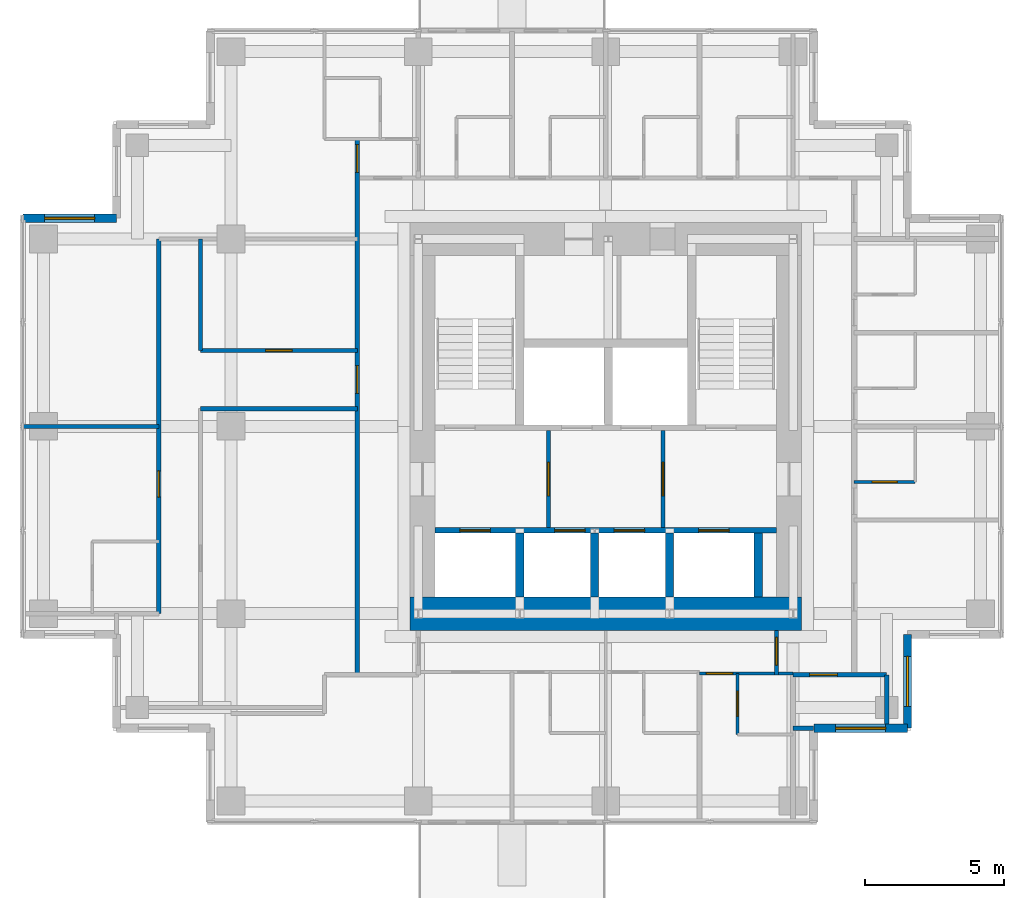
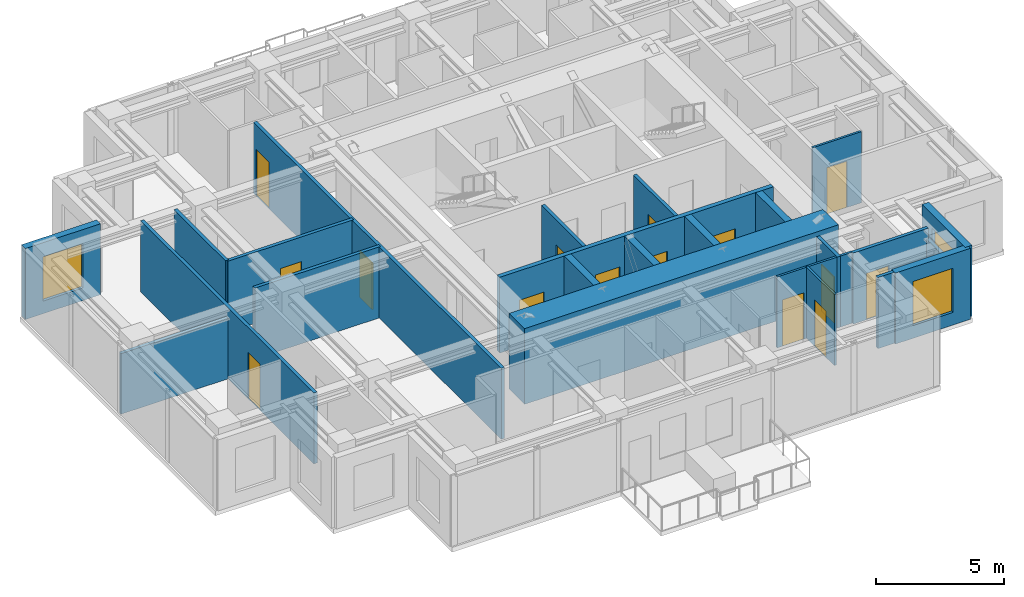
# One storey, part 4 of 8: 24 walls, 15 doors, 3 windows, 18 openings.
"""IFC4 building model written with IfcOpenShell, lengths in metres."""

import ifcopenshell
import ifcopenshell.guid

model = None  # the IFC model being written
_history = None  # IfcOwnerHistory: only IFC2X3 demands one
_inside = {}  # id of a spatial element -> (the spatial element, [elements in it])
_under = {}  # id of a project, library or spatial element -> (it, [spatial elements below it])
_declared = {}  # id of a project -> (the project, [libraries it declares])
_typed = {}  # id of a type object -> (the type object, [elements of that type])
_made_of = {}  # id of a material, layer set ... -> (it, [elements and type objects made of it])


def new_model(schema):
    """Start an empty IFC model of exactly this schema.

    Asked for "IFC4X3", IfcOpenShell would pick the latest addendum, in which some entities
    have other attributes; the version numbers below select the first issue.
    IFC2X3 requires an IfcOwnerHistory on every rooted entity: one is made here for all.
    """
    global model, _history
    if schema == "IFC4X3":
        model = ifcopenshell.file(schema_version=(4, 3, 0, 0))
    else:
        model = ifcopenshell.file(schema=schema)
    _inside.clear()
    _under.clear()
    _declared.clear()
    _typed.clear()
    _made_of.clear()
    _history = None
    if model.schema == "IFC2X3":
        org = make("IfcOrganization", Name="unknown")
        user = make(
            "IfcPersonAndOrganization",
            ThePerson=make("IfcPerson", FamilyName="unknown"),
            TheOrganization=org,
        )
        app = make(
            "IfcApplication",
            ApplicationDeveloper=org,
            Version="unknown",
            ApplicationFullName="unknown",
            ApplicationIdentifier="unknown",
        )
        _history = make(
            "IfcOwnerHistory",
            OwningUser=user,
            OwningApplication=app,
            ChangeAction="ADDED",
            CreationDate=0,
        )
    return model


def make(cls, **values):
    """One entity of the class cls with the attributes given. An attribute that is None is left unset."""
    return model.create_entity(
        cls, **{name: value for name, value in values.items() if value is not None}
    )


def rooted(cls, **values):
    """An entity with a GlobalId (a new one), such as an element, a storey or a relation."""
    return make(cls, GlobalId=ifcopenshell.guid.new(), OwnerHistory=_history, **values)


def si_unit(unit_type, name, prefix=None):
    """IfcSIUnit, for example si_unit("LENGTHUNIT", "METRE", prefix="MILLI")."""
    return make("IfcSIUnit", UnitType=unit_type, Prefix=prefix, Name=name)


def assignment(units):
    """IfcUnitAssignment: the units of a project."""
    return None if units is None else make("IfcUnitAssignment", Units=units)


def point(xyz):
    """IfcCartesianPoint."""
    return None if xyz is None else make("IfcCartesianPoint", Coordinates=xyz)


def direction(xyz):
    """IfcDirection."""
    return None if xyz is None else make("IfcDirection", DirectionRatios=xyz)


def frame(location, z_axis=None, x_axis=None):
    """IfcAxis2Placement3D, a coordinate frame: its origin and axes. An axis left out is left unset."""
    return make(
        "IfcAxis2Placement3D",
        Location=point(location),
        Axis=direction(z_axis),
        RefDirection=direction(x_axis),
    )


def frame_2d(location, x_axis=None):
    """IfcAxis2Placement2D, a coordinate frame in the plane: its origin and x axis."""
    return make(
        "IfcAxis2Placement2D", Location=point(location), RefDirection=direction(x_axis)
    )


def origin():
    """The frame at (0, 0, 0) with its axes left unset."""
    return frame((0.0, 0.0, 0.0))


def place(relative_to, where):
    """IfcLocalPlacement: puts the frame where relative to a parent placement (None: the world)."""
    return make(
        "IfcLocalPlacement", PlacementRelTo=relative_to, RelativePlacement=where
    )


def context(
    kind, dimensions, precision=None, world=None, true_north=None, identifier=None
):
    """IfcGeometricRepresentationContext, for example the 3D "Model" context."""
    return make(
        "IfcGeometricRepresentationContext",
        ContextIdentifier=identifier,
        ContextType=kind,
        CoordinateSpaceDimension=dimensions,
        Precision=precision,
        WorldCoordinateSystem=world,
        TrueNorth=true_north,
    )


def subcontext(parent, identifier, kind, view, scale=None):
    """IfcGeometricRepresentationSubContext, for example "Body" below "Model"."""
    return make(
        "IfcGeometricRepresentationSubContext",
        ContextIdentifier=identifier,
        ContextType=kind,
        ParentContext=parent,
        TargetScale=scale,
        TargetView=view,
    )


def project(units=None, contexts=None):
    """IfcProject with its units and contexts."""
    return rooted(
        "IfcProject",
        Name="project",
        RepresentationContexts=contexts,
        UnitsInContext=assignment(units),
    )


def spatial(cls, under=None, at=None, **own):
    """A site, building, storey or space (cls), placed at a placement, below another one or the project."""
    s = rooted(cls, ObjectPlacement=at, **own)
    if under is not None:
        _under.setdefault(under.id(), (under, []))[1].append(s)
    return s


def profile(cls, at=None, kind="AREA", **sizes):
    """A parametric profile (cls). Its sizes go by their IFC names, for example OverallWidth=200.0."""
    return make(cls, ProfileType=kind, Position=at, **sizes)


def rectangle(**sizes):
    """IfcRectangleProfileDef."""
    return profile("IfcRectangleProfileDef", **sizes)


def extrude(swept, where, along, depth):
    """IfcExtrudedAreaSolid: the profile swept, set in the frame where, extruded along a direction by depth."""
    return make(
        "IfcExtrudedAreaSolid",
        SweptArea=swept,
        Position=where,
        ExtrudedDirection=direction(along),
        Depth=depth,
    )


def shape(context_of_items, identifier, shape_type, items):
    """IfcShapeRepresentation: the items that make up one representation, for example the "Body"."""
    return make(
        "IfcShapeRepresentation",
        ContextOfItems=context_of_items,
        RepresentationIdentifier=identifier,
        RepresentationType=shape_type,
        Items=items,
    )


def material(Name=None, Category=None):
    """IfcMaterial."""
    return make("IfcMaterial", Name=Name, Category=Category)


def layer(
    of_material, thickness, ventilated=None, Name=None, Category=None, Priority=None
):
    """IfcMaterialLayer: one layer of a wall or slab, of a material (None: an air gap)."""
    return make(
        "IfcMaterialLayer",
        Material=of_material,
        LayerThickness=thickness,
        IsVentilated=ventilated,
        Name=Name,
        Category=Category,
        Priority=Priority,
    )


def layer_set(layers, Name=None):
    """IfcMaterialLayerSet."""
    return make("IfcMaterialLayerSet", MaterialLayers=layers, LayerSetName=Name)


def made_of(thing, what):
    """Note that an element or type object is made of a material, layer set ...; save() writes the relation."""
    if what is not None:
        _made_of.setdefault(what.id(), (what, []))[1].append(thing)
    return thing


def type_object(cls, material=None, **own):
    """A type object (cls), such as IfcWallType, which elements share."""
    return made_of(rooted(cls, **own), material)


def element(
    cls,
    number,
    at=None,
    inside=None,
    cuts=None,
    type_object=None,
    material=None,
    context=None,
    identifier="Body",
    shape_type=None,
    held_by="IfcProductDefinitionShape",
    body=None,
    shapes=None,
    **own,
):
    """One element of the class cls, such as IfcWall. Its Tag is "e" and its number.

    at: its placement. inside: the storey or other place that contains it. cuts: it is an
    opening in that element (IfcRelVoidsElement). A single representation is given by context,
    identifier, shape_type and body (its items); several are given by shapes. held_by: the class
    of the entity that holds the representations. save() writes the other relations.
    """
    e = rooted(cls, Tag="e%d" % number, ObjectPlacement=at, **own)
    if body is not None:
        shapes = [shape(context, identifier, shape_type, body)]
    if shapes is not None:
        e.Representation = make(held_by, Representations=shapes)
    if inside is not None:
        _inside.setdefault(inside.id(), (inside, []))[1].append(e)
    if cuts is not None:
        rooted(
            "IfcRelVoidsElement", RelatingBuildingElement=cuts, RelatedOpeningElement=e
        )
    if type_object is not None:
        _typed.setdefault(type_object.id(), (type_object, []))[1].append(e)
    return made_of(e, material)


def fill(opening, filler):
    """IfcRelFillsElement: the door or window that sits in an opening."""
    return rooted(
        "IfcRelFillsElement",
        RelatingOpeningElement=opening,
        RelatedBuildingElement=filler,
    )


def aggregate(whole, parts):
    """IfcRelAggregates: a whole, such as a stair, and the parts it consists of."""
    return rooted("IfcRelAggregates", RelatingObject=whole, RelatedObjects=parts)


def save(model, path):
    """Write the relations noted so far, then the file.

    IfcRelAggregates (storeys below a building ...), IfcRelContainedInSpatialStructure (elements
    in a storey), IfcRelDefinesByType, IfcRelAssociatesMaterial and IfcRelDeclares: one each for
    every whole, place, type object, material and project.
    """
    for whole, parts in _under.values():
        aggregate(whole, parts)
    for where, things in _inside.values():
        rooted(
            "IfcRelContainedInSpatialStructure",
            RelatedElements=things,
            RelatingStructure=where,
        )
    for kind, things in _typed.values():
        rooted("IfcRelDefinesByType", RelatedObjects=things, RelatingType=kind)
    for what, things in _made_of.values():
        rooted("IfcRelAssociatesMaterial", RelatedObjects=things, RelatingMaterial=what)
    for by, libraries in _declared.values():
        rooted("IfcRelDeclares", RelatingContext=by, RelatedDefinitions=libraries)
    model.write(path)


model = new_model("IFC4")

# Units and contexts
model_context = context("Model", 3, precision=1e-05, world=origin(), true_north=direction((0.0, 1.0)))
body_context = subcontext(model_context, "Body", "Model", "MODEL_VIEW")
ifc_project = project(units=[si_unit("LENGTHUNIT", "METRE"), si_unit("AREAUNIT", "SQUARE_METRE"), si_unit("VOLUMEUNIT", "CUBIC_METRE"), si_unit("PLANEANGLEUNIT", "RADIAN"), si_unit("MASSUNIT", "GRAM", prefix="KILO")], contexts=[model_context])

# Site, building, storey
site_placement = place(None, origin())
site = spatial("IfcSite", under=ifc_project, at=site_placement, CompositionType="ELEMENT")
building_placement = place(site_placement, origin())
building = spatial("IfcBuilding", under=site, at=building_placement, Name="Nyansa Garden Tower", CompositionType="ELEMENT")
storey_placement = place(building_placement, frame((0.0, 0.0, 233.10009765625)))
storey = spatial("IfcBuildingStorey", under=building, at=storey_placement, Name="L63", CompositionType="ELEMENT", Elevation=233.10009765625)

# Wall, openings, doors
ifc_material_1 = material(Name="Concrete C70/85", Category="concrete")
ifc_layer_1 = layer(ifc_material_1, 0.199951171875)
ifc_layer_set_1 = layer_set([ifc_layer_1], Name="Core inner wall CI200")
wall_type_1 = type_object("IfcWallType", Name="Core inner wall CI200", PredefinedType="SHEAR", material=ifc_layer_set_1)
wall_1_placement = place(storey_placement, frame((14.10009765625, 16.5, 0.0), z_axis=(0.0, 0.0, 1.0), x_axis=(1.0, 0.0, 0.0)))
wall_1 = element("IfcWall", 1, at=wall_1_placement, inside=storey, type_object=wall_type_1, Name="Core inner wall L63", PredefinedType="SHEAR", context=body_context, shape_type="SweptSolid", body=[
    extrude(rectangle(XDim=12.2998046875, YDim=0.199951171875, at=frame_2d((6.14990234375, 0.0))), origin(), (0.0, 0.0, 1.0), 3.599853515625),
])
opening_1_placement = place(wall_1_placement, frame((0.89990234375, 0.0, 0.0)))
opening_1 = element("IfcOpeningElement", 2, at=opening_1_placement, cuts=wall_1, Name="Opening LD-F", PredefinedType="OPENING", context=body_context, shape_type="SweptSolid", body=[
    extrude(rectangle(XDim=1.10009765625, YDim=2.199951171875, at=frame_2d((0.550048828125, 1.10009765625))), frame((0.0, 0.10986328125, 0.0), z_axis=(0.0, -1.0, 0.0), x_axis=(1.0, 0.0, 0.0)), (0.0, 0.0, 1.0), 0.219970703125),
])
opening_2_placement = place(wall_1_placement, frame((4.31005859375, 0.0, 0.0)))
opening_2 = element("IfcOpeningElement", 3, at=opening_2_placement, cuts=wall_1, Name="Opening LD-B", PredefinedType="OPENING", context=body_context, shape_type="SweptSolid", body=[
    extrude(rectangle(XDim=1.10009765625, YDim=2.199951171875, at=frame_2d((0.550048828125, 1.10009765625))), frame((0.0, 0.10986328125, 0.0), z_axis=(0.0, -1.0, 0.0), x_axis=(1.0, 0.0, 0.0)), (0.0, 0.0, 1.0), 0.219970703125),
])
opening_3_placement = place(wall_1_placement, frame((6.449951171875, 0.0, 0.0)))
opening_3 = element("IfcOpeningElement", 4, at=opening_3_placement, cuts=wall_1, Name="Opening LD-B", PredefinedType="OPENING", context=body_context, shape_type="SweptSolid", body=[
    extrude(rectangle(XDim=1.10009765625, YDim=2.199951171875, at=frame_2d((0.550048828125, 1.10009765625))), frame((0.0, 0.10986328125, 0.0), z_axis=(0.0, -1.0, 0.0), x_axis=(1.0, 0.0, 0.0)), (0.0, 0.0, 1.0), 0.219970703125),
])
opening_4_placement = place(wall_1_placement, frame((9.5, 0.0, 0.0)))
opening_4 = element("IfcOpeningElement", 5, at=opening_4_placement, cuts=wall_1, Name="Opening LD-F", PredefinedType="OPENING", context=body_context, shape_type="SweptSolid", body=[
    extrude(rectangle(XDim=1.10009765625, YDim=2.199951171875, at=frame_2d((0.550048828125, 1.10009765625))), frame((0.0, 0.10986328125, 0.0), z_axis=(0.0, -1.0, 0.0), x_axis=(1.0, 0.0, 0.0)), (0.0, 0.0, 1.0), 0.219970703125),
])
ifc_material_2 = material(Name="Stainless steel centre-opening landing door of the high-rise lift, E 120", Category="steel")
door_type_1 = type_object("IfcDoorType", Name="Lift landing door LD-B 1100x2200", OperationType="DOUBLE_DOOR_SLIDING", PredefinedType="DOOR", material=ifc_material_2)
door_1_placement = place(opening_2_placement, origin())
door_1 = element("IfcDoor", 6, at=door_1_placement, inside=storey, type_object=door_type_1, Name="Landing door B1", OperationType="DOUBLE_DOOR_SLIDING", OverallHeight=2.199951171875, OverallWidth=1.10009765625, PredefinedType="DOOR", context=body_context, shape_type="SweptSolid", body=[
    extrude(rectangle(XDim=1.10009765625, YDim=2.199951171875, at=frame_2d((0.550048828125, 1.10009765625))), frame((0.0, 0.02490234375, 0.0), z_axis=(0.0, -1.0, 0.0), x_axis=(1.0, 0.0, 0.0)), (0.0, 0.0, 1.0), 0.050048828125),
])
fill(opening_2, door_1)
door_2_placement = place(opening_3_placement, origin())
door_2 = element("IfcDoor", 7, at=door_2_placement, inside=storey, type_object=door_type_1, Name="Landing door B2", OperationType="DOUBLE_DOOR_SLIDING", OverallHeight=2.199951171875, OverallWidth=1.10009765625, PredefinedType="DOOR", context=body_context, shape_type="SweptSolid", body=[
    extrude(rectangle(XDim=1.10009765625, YDim=2.199951171875, at=frame_2d((0.550048828125, 1.10009765625))), frame((0.0, 0.02490234375, 0.0), z_axis=(0.0, -1.0, 0.0), x_axis=(1.0, 0.0, 0.0)), (0.0, 0.0, 1.0), 0.050048828125),
])
fill(opening_3, door_2)
ifc_material_3 = material(Name="Stainless steel centre-opening landing door of the firefighting lift, EN 81-72, E 120", Category="steel")
door_type_2 = type_object("IfcDoorType", Name="Lift landing door LD-F 1100x2200", OperationType="DOUBLE_DOOR_SLIDING", PredefinedType="DOOR", material=ifc_material_3)
door_3_placement = place(opening_1_placement, origin())
door_3 = element("IfcDoor", 8, at=door_3_placement, inside=storey, type_object=door_type_2, Name="Landing door FF1", OperationType="DOUBLE_DOOR_SLIDING", OverallHeight=2.199951171875, OverallWidth=1.10009765625, PredefinedType="DOOR", context=body_context, shape_type="SweptSolid", body=[
    extrude(rectangle(XDim=1.10009765625, YDim=2.199951171875, at=frame_2d((0.550048828125, 1.10009765625))), frame((0.0, 0.02490234375, 0.0), z_axis=(0.0, -1.0, 0.0), x_axis=(1.0, 0.0, 0.0)), (0.0, 0.0, 1.0), 0.050048828125),
])
fill(opening_1, door_3)
door_4_placement = place(opening_4_placement, origin())
door_4 = element("IfcDoor", 9, at=door_4_placement, inside=storey, type_object=door_type_2, Name="Landing door FF2", OperationType="DOUBLE_DOOR_SLIDING", OverallHeight=2.199951171875, OverallWidth=1.10009765625, PredefinedType="DOOR", context=body_context, shape_type="SweptSolid", body=[
    extrude(rectangle(XDim=1.10009765625, YDim=2.199951171875, at=frame_2d((0.550048828125, 1.10009765625))), frame((0.0, 0.02490234375, 0.0), z_axis=(0.0, -1.0, 0.0), x_axis=(1.0, 0.0, 0.0)), (0.0, 0.0, 1.0), 0.050048828125),
])
fill(opening_4, door_4)

# Walls
ifc_material_4 = material(Name="Concrete C70/85", Category="concrete")
ifc_layer_2 = layer(ifc_material_4, 0.300048828125)
ifc_layer_set_2 = layer_set([ifc_layer_2], Name="Core inner wall CI300")
wall_type_2 = type_object("IfcWallType", Name="Core inner wall CI300", PredefinedType="SHEAR", material=ifc_layer_set_2)
for number, where, z_axis, x_axis, name in (
    (10, (17.14990234375, 14.10009765625, 0.0), (0.0, 0.0, 1.0), (0.0, 1.0, 0.0), "Core inner wall L63"),
    (11, (19.85009765625, 14.10009765625, 0.0), (0.0, 0.0, 1.0), (0.0, 1.0, 0.0), "Core inner wall L63"),
    (12, (22.550048828125, 14.10009765625, 0.0), (0.0, 0.0, 1.0), (0.0, 1.0, 0.0), "Core inner wall L63"),
    (13, (25.75, 14.10009765625, 0.0), (0.0, 0.0, 1.0), (0.0, 1.0, 0.0), "Core inner wall L63"),
):
    element("IfcWall", number, at=place(storey_placement, frame(where, z_axis=z_axis, x_axis=x_axis)), inside=storey, type_object=wall_type_2, Name=name, PredefinedType="SHEAR", context=body_context, shape_type="SweptSolid", body=[
        extrude(rectangle(XDim=2.2998046875, YDim=0.300048828125, at=frame_2d((1.14990234375, 0.0))), origin(), (0.0, 0.0, 1.0), 3.599853515625),
    ])
ifc_material_5 = material(Name="Concrete C80/95", Category="concrete")
ifc_layer_3 = layer(ifc_material_5, 1.199951171875)
ifc_layer_set_3 = layer_set([ifc_layer_3], Name="Core wall CW1200")
wall_type_3 = type_object("IfcWallType", Name="Core wall CW1200", PredefinedType="SHEAR", material=ifc_layer_set_3)
wall_2_placement = place(storey_placement, frame((13.199951171875, 13.5, 0.0), z_axis=(0.0, 0.0, 1.0), x_axis=(1.0, 0.0, 0.0)))
element("IfcWall", 14, at=wall_2_placement, inside=storey, type_object=wall_type_3, Name="Core wall S L63", PredefinedType="SHEAR", context=body_context, shape_type="SweptSolid", body=[
    extrude(rectangle(XDim=14.10009765625, YDim=1.199951171875, at=frame_2d((7.050048828125, 0.0))), origin(), (0.0, 0.0, 1.0), 3.599853515625),
])

# Wall, opening, door
ifc_material_6 = material(Name="Blockwork, plastered both sides", Category="masonry")
ifc_layer_4 = layer(ifc_material_6, 0.14990234375)
ifc_layer_set_4 = layer_set([ifc_layer_4], Name="Partition PW150")
wall_type_4 = type_object("IfcWallType", Name="Partition PW150", PredefinedType="PARTITIONING", material=ifc_layer_set_4)
wall_3_placement = place(storey_placement, frame((18.18505859375, 16.60009765625, 0.0), z_axis=(0.0, 0.0, 1.0), x_axis=(0.0, 1.0, 0.0)))
wall_3 = element("IfcWall", 15, at=wall_3_placement, inside=storey, type_object=wall_type_4, Name="Partition", PredefinedType="PARTITIONING", context=body_context, shape_type="SweptSolid", body=[
    extrude(rectangle(XDim=3.5, YDim=0.14990234375, at=frame_2d((1.75, 0.0))), origin(), (0.0, 0.0, 1.0), 3.375),
])
opening_5_placement = place(wall_3_placement, frame((1.14990234375, 0.0, 0.0)))
opening_5 = element("IfcOpeningElement", 16, at=opening_5_placement, cuts=wall_3, Name="Opening D06", PredefinedType="OPENING", context=body_context, shape_type="SweptSolid", body=[
    extrude(rectangle(XDim=1.199951171875, YDim=2.199951171875, at=frame_2d((0.60009765625, 1.10009765625))), frame((0.0, 0.0849609375, 0.0), z_axis=(0.0, -1.0, 0.0), x_axis=(1.0, 0.0, 0.0)), (0.0, 0.0, 1.0), 0.169921875),
])
ifc_material_7 = material(Name="Steel door, 120 minute fire resisting", Category="steel")
door_type_3 = type_object("IfcDoorType", Name="Lobby door D06 1200x2200", OperationType="DOUBLE_DOOR_SINGLE_SWING", PredefinedType="DOOR", material=ifc_material_7)
door_5_placement = place(opening_5_placement, origin())
door_5 = element("IfcDoor", 17, at=door_5_placement, inside=storey, type_object=door_type_3, Name="Passenger lift lobby door", OperationType="DOUBLE_DOOR_SINGLE_SWING", OverallHeight=2.199951171875, OverallWidth=1.199951171875, PredefinedType="DOOR", context=body_context, shape_type="SweptSolid", body=[
    extrude(rectangle(XDim=1.199951171875, YDim=2.199951171875, at=frame_2d((0.60009765625, 1.10009765625))), frame((0.0, 0.02490234375, 0.0), z_axis=(0.0, -1.0, 0.0), x_axis=(1.0, 0.0, 0.0)), (0.0, 0.0, 1.0), 0.050048828125),
])
fill(opening_5, door_5)

wall_4_placement = place(storey_placement, frame((22.31494140625, 16.60009765625, 0.0), z_axis=(0.0, 0.0, 1.0), x_axis=(0.0, 1.0, 0.0)))
wall_4 = element("IfcWall", 18, at=wall_4_placement, inside=storey, type_object=wall_type_4, Name="Partition", PredefinedType="PARTITIONING", context=body_context, shape_type="SweptSolid", body=[
    extrude(rectangle(XDim=3.5, YDim=0.14990234375, at=frame_2d((1.75, 0.0))), origin(), (0.0, 0.0, 1.0), 3.375),
])
opening_6_placement = place(wall_4_placement, frame((1.14990234375, 0.0, 0.0)))
opening_6 = element("IfcOpeningElement", 19, at=opening_6_placement, cuts=wall_4, Name="Opening D06", PredefinedType="OPENING", context=body_context, shape_type="SweptSolid", body=[
    extrude(rectangle(XDim=1.199951171875, YDim=2.199951171875, at=frame_2d((0.60009765625, 1.10009765625))), frame((0.0, 0.0849609375, 0.0), z_axis=(0.0, -1.0, 0.0), x_axis=(1.0, 0.0, 0.0)), (0.0, 0.0, 1.0), 0.169921875),
])
door_6_placement = place(opening_6_placement, origin())
door_6 = element("IfcDoor", 20, at=door_6_placement, inside=storey, type_object=door_type_3, Name="Passenger lift lobby door", OperationType="DOUBLE_DOOR_SINGLE_SWING", OverallHeight=2.199951171875, OverallWidth=1.199951171875, PredefinedType="DOOR", context=body_context, shape_type="SweptSolid", body=[
    extrude(rectangle(XDim=1.199951171875, YDim=2.199951171875, at=frame_2d((0.60009765625, 1.10009765625))), frame((0.0, 0.02490234375, 0.0), z_axis=(0.0, -1.0, 0.0), x_axis=(1.0, 0.0, 0.0)), (0.0, 0.0, 1.0), 0.050048828125),
])
fill(opening_6, door_6)

# Wall
wall_5_placement = place(storey_placement, frame((-0.73388671875, 20.25, 0.0), z_axis=(0.0, 0.0, 1.0), x_axis=(1.0, 0.0, 0.0)))
element("IfcWall", 21, at=wall_5_placement, inside=storey, type_object=wall_type_4, Name="Partition", PredefinedType="PARTITIONING", context=body_context, shape_type="SweptSolid", body=[
    extrude(rectangle(XDim=4.8837890625, YDim=0.14990234375, at=frame_2d((2.44189453125, 0.0))), origin(), (0.0, 0.0, 1.0), 2.876953125),
])

# Wall, opening, door
wall_6_placement = place(storey_placement, frame((4.14990234375, 13.5, 0.0), z_axis=(0.0, 0.0, 1.0), x_axis=(0.0, 1.0, 0.0)))
wall_6 = element("IfcWall", 22, at=wall_6_placement, inside=storey, type_object=wall_type_4, Name="Partition", PredefinedType="PARTITIONING", context=body_context, shape_type="SweptSolid", body=[
    extrude(rectangle(XDim=13.5, YDim=0.14990234375, at=frame_2d((6.75, 0.0))), origin(), (0.0, 0.0, 1.0), 3.375),
])
opening_7_placement = place(wall_6_placement, frame((4.199951171875, 0.0, 0.0)))
opening_7 = element("IfcOpeningElement", 23, at=opening_7_placement, cuts=wall_6, Name="Opening D14", PredefinedType="OPENING", context=body_context, shape_type="SweptSolid", body=[
    extrude(rectangle(XDim=0.949951171875, YDim=2.199951171875, at=frame_2d((0.47509765625, 1.10009765625))), frame((0.0, 0.0849609375, 0.0), z_axis=(0.0, -1.0, 0.0), x_axis=(1.0, 0.0, 0.0)), (0.0, 0.0, 1.0), 0.169921875),
])
ifc_material_8 = material(Name="Timber flush door, 60 minute fire resisting, self-closing", Category="wood")
door_type_4 = type_object("IfcDoorType", Name="Studio entrance door D14 950x2200", OperationType="SINGLE_SWING_LEFT", PredefinedType="DOOR", material=ifc_material_8)
door_7_placement = place(opening_7_placement, origin())
door_7 = element("IfcDoor", 24, at=door_7_placement, inside=storey, type_object=door_type_4, Name="Door L63-047", OperationType="SINGLE_SWING_LEFT", OverallHeight=2.199951171875, OverallWidth=0.949951171875, PredefinedType="DOOR", context=body_context, shape_type="SweptSolid", body=[
    extrude(rectangle(XDim=0.949951171875, YDim=2.199951171875, at=frame_2d((0.47509765625, 1.10009765625))), frame((0.0, 0.02490234375, 0.0), z_axis=(0.0, -1.0, 0.0), x_axis=(1.0, 0.0, 0.0)), (0.0, 0.0, 1.0), 0.050048828125),
])
fill(opening_7, door_7)

# Walls
wall_7_placement = place(storey_placement, frame((5.64990234375, 20.886962890625, 0.0), z_axis=(0.0, 0.0, 1.0), x_axis=(1.0, 0.0, 0.0)))
element("IfcWall", 25, at=wall_7_placement, inside=storey, type_object=wall_type_4, Name="Partition", PredefinedType="PARTITIONING", context=body_context, shape_type="SweptSolid", body=[
    extrude(rectangle(XDim=5.650146484375, YDim=0.14990234375, at=frame_2d((2.8251953125, 0.0))), origin(), (0.0, 0.0, 1.0), 3.375),
])
wall_8_placement = place(storey_placement, frame((5.64990234375, 22.987548828125, 0.0), z_axis=(0.0, 0.0, 1.0), x_axis=(0.0, 1.0, 0.0)))
element("IfcWall", 26, at=wall_8_placement, inside=storey, type_object=wall_type_4, Name="Partition", PredefinedType="PARTITIONING", context=body_context, shape_type="SweptSolid", body=[
    extrude(rectangle(XDim=4.012451171875, YDim=0.14990234375, at=frame_2d((2.00634765625, 0.0))), origin(), (0.0, 0.0, 1.0), 3.375),
])

# Wall, opening, door
wall_9_placement = place(storey_placement, frame((5.64990234375, 22.988037109375, 0.0), z_axis=(0.0, 0.0, 1.0), x_axis=(1.0, 0.0, 0.0)))
wall_9 = element("IfcWall", 27, at=wall_9_placement, inside=storey, type_object=wall_type_4, Name="Partition", PredefinedType="PARTITIONING", context=body_context, shape_type="SweptSolid", body=[
    extrude(rectangle(XDim=5.650146484375, YDim=0.14990234375, at=frame_2d((2.8251953125, 0.0))), origin(), (0.0, 0.0, 1.0), 3.375),
])
opening_8_placement = place(wall_9_placement, frame((2.35009765625, 0.0, 0.0)))
opening_8 = element("IfcOpeningElement", 28, at=opening_8_placement, cuts=wall_9, Name="Opening D01", PredefinedType="OPENING", context=body_context, shape_type="SweptSolid", body=[
    extrude(rectangle(XDim=0.949951171875, YDim=2.199951171875, at=frame_2d((0.47509765625, 1.10009765625))), frame((0.0, 0.0849609375, 0.0), z_axis=(0.0, -1.0, 0.0), x_axis=(1.0, 0.0, 0.0)), (0.0, 0.0, 1.0), 0.169921875),
])
ifc_material_9 = material(Name="Timber flush door, 30 minute fire resisting", Category="wood")
door_type_5 = type_object("IfcDoorType", Name="Bedroom door D01 950x2200", OperationType="SINGLE_SWING_LEFT", PredefinedType="DOOR", material=ifc_material_9)
door_8_placement = place(opening_8_placement, origin())
door_8 = element("IfcDoor", 29, at=door_8_placement, inside=storey, type_object=door_type_5, Name="Door L63-050", OperationType="SINGLE_SWING_LEFT", OverallHeight=2.199951171875, OverallWidth=0.949951171875, PredefinedType="DOOR", context=body_context, shape_type="SweptSolid", body=[
    extrude(rectangle(XDim=0.949951171875, YDim=2.199951171875, at=frame_2d((0.47509765625, 1.10009765625))), frame((0.0, 0.02490234375, 0.0), z_axis=(0.0, -1.0, 0.0), x_axis=(1.0, 0.0, 0.0)), (0.0, 0.0, 1.0), 0.050048828125),
])
fill(opening_8, door_8)

# Wall, openings, doors
wall_10_placement = place(storey_placement, frame((11.300048828125, 11.300048828125, 0.0), z_axis=(0.0, 0.0, 1.0), x_axis=(0.0, 1.0, 0.0)))
wall_10 = element("IfcWall", 30, at=wall_10_placement, inside=storey, type_object=wall_type_4, Name="Partition", PredefinedType="PARTITIONING", context=body_context, shape_type="SweptSolid", body=[
    extrude(rectangle(XDim=19.300048828125, YDim=0.14990234375, at=frame_2d((9.64990234375, 0.0))), origin(), (0.0, 0.0, 1.0), 3.375),
])
opening_9_placement = place(wall_10_placement, frame((18.10009765625, 0.0, 0.0)))
opening_9 = element("IfcOpeningElement", 31, at=opening_9_placement, cuts=wall_10, Name="Opening D03", PredefinedType="OPENING", context=body_context, shape_type="SweptSolid", body=[
    extrude(rectangle(XDim=1.0, YDim=2.199951171875, at=frame_2d((0.5, 1.10009765625))), frame((0.0, 0.0849609375, 0.0), z_axis=(0.0, -1.0, 0.0), x_axis=(1.0, 0.0, 0.0)), (0.0, 0.0, 1.0), 0.169921875),
])
opening_10_placement = place(wall_10_placement, frame((10.137451171875, 0.0, 0.0)))
opening_10 = element("IfcOpeningElement", 32, at=opening_10_placement, cuts=wall_10, Name="Opening D03", PredefinedType="OPENING", context=body_context, shape_type="SweptSolid", body=[
    extrude(rectangle(XDim=1.0, YDim=2.199951171875, at=frame_2d((0.5, 1.10009765625))), frame((0.0, 0.0849609375, 0.0), z_axis=(0.0, -1.0, 0.0), x_axis=(1.0, 0.0, 0.0)), (0.0, 0.0, 1.0), 0.169921875),
])
ifc_material_10 = material(Name="Timber flush door, 60 minute fire resisting", Category="wood")
door_type_6 = type_object("IfcDoorType", Name="Cluster entrance door D03 1000x2200", OperationType="SINGLE_SWING_LEFT", PredefinedType="DOOR", material=ifc_material_10)
door_9_placement = place(opening_9_placement, origin())
door_9 = element("IfcDoor", 33, at=door_9_placement, inside=storey, type_object=door_type_6, Name="Door L63-046", OperationType="SINGLE_SWING_LEFT", OverallHeight=2.199951171875, OverallWidth=1.0, PredefinedType="DOOR", context=body_context, shape_type="SweptSolid", body=[
    extrude(rectangle(XDim=1.0, YDim=2.199951171875, at=frame_2d((0.5, 1.10009765625))), frame((0.0, 0.02490234375, 0.0), z_axis=(0.0, -1.0, 0.0), x_axis=(1.0, 0.0, 0.0)), (0.0, 0.0, 1.0), 0.050048828125),
])
fill(opening_9, door_9)
door_10_placement = place(opening_10_placement, origin())
door_10 = element("IfcDoor", 34, at=door_10_placement, inside=storey, type_object=door_type_6, Name="Door L63-049", OperationType="SINGLE_SWING_LEFT", OverallHeight=2.199951171875, OverallWidth=1.0, PredefinedType="DOOR", context=body_context, shape_type="SweptSolid", body=[
    extrude(rectangle(XDim=1.0, YDim=2.199951171875, at=frame_2d((0.5, 1.10009765625))), frame((0.0, 0.02490234375, 0.0), z_axis=(0.0, -1.0, 0.0), x_axis=(1.0, 0.0, 0.0)), (0.0, 0.0, 1.0), 0.050048828125),
])
fill(opening_10, door_10)

# Wall, opening, door
wall_11_placement = place(storey_placement, frame((26.39990234375, 11.300048828125, 0.0), z_axis=(0.0, 0.0, 1.0), x_axis=(0.0, 1.0, 0.0)))
wall_11 = element("IfcWall", 35, at=wall_11_placement, inside=storey, type_object=wall_type_4, Name="Partition", PredefinedType="PARTITIONING", context=body_context, shape_type="SweptSolid", body=[
    extrude(rectangle(XDim=1.599853515625, YDim=0.14990234375, at=frame_2d((0.7998046875, 0.0))), origin(), (0.0, 0.0, 1.0), 3.375),
])
opening_11_placement = place(wall_11_placement, frame((0.35009765625, 0.0, 0.0)))
opening_11 = element("IfcOpeningElement", 36, at=opening_11_placement, cuts=wall_11, Name="Opening D03", PredefinedType="OPENING", context=body_context, shape_type="SweptSolid", body=[
    extrude(rectangle(XDim=1.0, YDim=2.199951171875, at=frame_2d((0.5, 1.10009765625))), frame((0.0, 0.0849609375, 0.0), z_axis=(0.0, -1.0, 0.0), x_axis=(1.0, 0.0, 0.0)), (0.0, 0.0, 1.0), 0.169921875),
])
door_11_placement = place(opening_11_placement, origin())
door_11 = element("IfcDoor", 37, at=door_11_placement, inside=storey, type_object=door_type_6, Name="Door L63-025", OperationType="SINGLE_SWING_LEFT", OverallHeight=2.199951171875, OverallWidth=1.0, PredefinedType="DOOR", context=body_context, shape_type="SweptSolid", body=[
    extrude(rectangle(XDim=1.0, YDim=2.199951171875, at=frame_2d((0.5, 1.10009765625))), frame((0.0, 0.02490234375, 0.0), z_axis=(0.0, -1.0, 0.0), x_axis=(1.0, 0.0, 0.0)), (0.0, 0.0, 1.0), 0.050048828125),
])
fill(opening_11, door_11)

wall_12_placement = place(storey_placement, frame((27.0, 11.300048828125, 0.0), z_axis=(0.0, 0.0, 1.0), x_axis=(1.0, 0.0, 0.0)))
wall_12 = element("IfcWall", 38, at=wall_12_placement, inside=storey, type_object=wall_type_4, Name="Partition", PredefinedType="PARTITIONING", context=body_context, shape_type="SweptSolid", body=[
    extrude(rectangle(XDim=3.375, YDim=0.14990234375, at=frame_2d((1.6875, 0.0))), origin(), (0.0, 0.0, 1.0), 3.375),
])
opening_12_placement = place(wall_12_placement, frame((0.60009765625, 0.0, 0.0)))
opening_12 = element("IfcOpeningElement", 39, at=opening_12_placement, cuts=wall_12, Name="Opening D03", PredefinedType="OPENING", context=body_context, shape_type="SweptSolid", body=[
    extrude(rectangle(XDim=1.0, YDim=2.199951171875, at=frame_2d((0.5, 1.10009765625))), frame((0.0, 0.0849609375, 0.0), z_axis=(0.0, -1.0, 0.0), x_axis=(1.0, 0.0, 0.0)), (0.0, 0.0, 1.0), 0.169921875),
])
door_12_placement = place(opening_12_placement, origin())
door_12 = element("IfcDoor", 40, at=door_12_placement, inside=storey, type_object=door_type_6, Name="Door L63-024", OperationType="SINGLE_SWING_LEFT", OverallHeight=2.199951171875, OverallWidth=1.0, PredefinedType="DOOR", context=body_context, shape_type="SweptSolid", body=[
    extrude(rectangle(XDim=1.0, YDim=2.199951171875, at=frame_2d((0.5, 1.10009765625))), frame((0.0, 0.02490234375, 0.0), z_axis=(0.0, -1.0, 0.0), x_axis=(1.0, 0.0, 0.0)), (0.0, 0.0, 1.0), 0.050048828125),
])
fill(opening_12, door_12)

# Walls
wall_13_placement = place(storey_placement, frame((27.0, 9.375, 0.0), z_axis=(0.0, 0.0, 1.0), x_axis=(1.0, 0.0, 0.0)))
element("IfcWall", 41, at=wall_13_placement, inside=storey, type_object=wall_type_4, Name="Partition", PredefinedType="PARTITIONING", context=body_context, shape_type="SweptSolid", body=[
    extrude(rectangle(XDim=0.73388671875, YDim=0.14990234375, at=frame_2d((0.366943359375, 0.0))), origin(), (0.0, 0.0, 1.0), 3.375),
])
wall_14_placement = place(storey_placement, frame((30.375, 9.52490234375, 0.0), z_axis=(0.0, 0.0, 1.0), x_axis=(0.0, 1.0, 0.0)))
element("IfcWall", 42, at=wall_14_placement, inside=storey, type_object=wall_type_4, Name="Partition", PredefinedType="PARTITIONING", context=body_context, shape_type="SweptSolid", body=[
    extrude(rectangle(XDim=1.775146484375, YDim=0.14990234375, at=frame_2d((0.8876953125, 0.0))), origin(), (0.0, 0.0, 1.0), 2.876953125),
])

# Wall, opening, window
ifc_material_11 = material(Name="Turquoise glazed tile on concrete blockwork", Category="masonry")
ifc_layer_5 = layer(ifc_material_11, 0.300048828125)
ifc_layer_set_5 = layer_set([ifc_layer_5], Name="Tiled corner wall TW300")
wall_type_5 = type_object("IfcWallType", Name="Tiled corner wall TW300", PredefinedType="SOLIDWALL", material=ifc_layer_set_5)
wall_15_placement = place(storey_placement, frame((2.625, 27.75, 0.0), z_axis=(0.0, 0.0, 1.0), x_axis=(-1.0, 0.0, 0.0)))
wall_15 = element("IfcWall", 43, at=wall_15_placement, inside=storey, type_object=wall_type_5, Name="Tiled corner wall L63", PredefinedType="SOLIDWALL", context=body_context, shape_type="SweptSolid", body=[
    extrude(rectangle(XDim=3.375, YDim=0.300048828125, at=frame_2d((1.6875, 0.0))), origin(), (0.0, 0.0, 1.0), 3.375),
])
opening_13_placement = place(wall_15_placement, frame((0.78759765625, 0.0, 0.60009765625)))
opening_13 = element("IfcOpeningElement", 44, at=opening_13_placement, cuts=wall_15, Name="Opening W2", PredefinedType="OPENING", context=body_context, shape_type="SweptSolid", body=[
    extrude(rectangle(XDim=1.800048828125, YDim=2.10009765625, at=frame_2d((0.89990234375, 1.050048828125))), frame((0.0, 0.159912109375, 0.0), z_axis=(0.0, -1.0, 0.0), x_axis=(1.0, 0.0, 0.0)), (0.0, 0.0, 1.0), 0.320068359375),
])
ifc_material_12 = material(Name="Black aluminium frame, dark tinted double glazing", Category="aluminium")
window_type = type_object("IfcWindowType", Name="Window W2 1800x2100", PartitioningType="SINGLE_PANEL", PredefinedType="WINDOW", material=ifc_material_12)
window_1_placement = place(opening_13_placement, origin())
window_1 = element("IfcWindow", 45, at=window_1_placement, inside=storey, type_object=window_type, Name="Corner window L63", OverallHeight=2.10009765625, OverallWidth=1.800048828125, PartitioningType="SINGLE_PANEL", PredefinedType="WINDOW", context=body_context, shape_type="SweptSolid", body=[
    extrude(rectangle(XDim=1.800048828125, YDim=2.10009765625, at=frame_2d((0.89990234375, 1.050048828125))), frame((0.0, 0.030029296875, 0.0), z_axis=(0.0, -1.0, 0.0), x_axis=(1.0, 0.0, 0.0)), (0.0, 0.0, 1.0), 0.06005859375),
])
fill(opening_13, window_1)

wall_16_placement = place(storey_placement, frame((27.75, 9.375, 0.0), z_axis=(0.0, 0.0, 1.0), x_axis=(1.0, 0.0, 0.0)))
wall_16 = element("IfcWall", 46, at=wall_16_placement, inside=storey, type_object=wall_type_5, Name="Tiled corner wall L63", PredefinedType="SOLIDWALL", context=body_context, shape_type="SweptSolid", body=[
    extrude(rectangle(XDim=3.375, YDim=0.300048828125, at=frame_2d((1.6875, 0.0))), origin(), (0.0, 0.0, 1.0), 3.375),
])
opening_14_placement = place(wall_16_placement, frame((0.78759765625, 0.0, 0.60009765625)))
opening_14 = element("IfcOpeningElement", 47, at=opening_14_placement, cuts=wall_16, Name="Opening W2", PredefinedType="OPENING", context=body_context, shape_type="SweptSolid", body=[
    extrude(rectangle(XDim=1.800048828125, YDim=2.10009765625, at=frame_2d((0.89990234375, 1.050048828125))), frame((0.0, 0.159912109375, 0.0), z_axis=(0.0, -1.0, 0.0), x_axis=(1.0, 0.0, 0.0)), (0.0, 0.0, 1.0), 0.320068359375),
])
window_2_placement = place(opening_14_placement, origin())
window_2 = element("IfcWindow", 48, at=window_2_placement, inside=storey, type_object=window_type, Name="Corner window L63", OverallHeight=2.10009765625, OverallWidth=1.800048828125, PartitioningType="SINGLE_PANEL", PredefinedType="WINDOW", context=body_context, shape_type="SweptSolid", body=[
    extrude(rectangle(XDim=1.800048828125, YDim=2.10009765625, at=frame_2d((0.89990234375, 1.050048828125))), frame((0.0, 0.030029296875, 0.0), z_axis=(0.0, -1.0, 0.0), x_axis=(1.0, 0.0, 0.0)), (0.0, 0.0, 1.0), 0.06005859375),
])
fill(opening_14, window_2)

wall_17_placement = place(storey_placement, frame((31.125, 9.375, 0.0), z_axis=(0.0, 0.0, 1.0), x_axis=(0.0, 1.0, 0.0)))
wall_17 = element("IfcWall", 49, at=wall_17_placement, inside=storey, type_object=wall_type_5, Name="Tiled corner wall L63", PredefinedType="SOLIDWALL", context=body_context, shape_type="SweptSolid", body=[
    extrude(rectangle(XDim=3.375, YDim=0.300048828125, at=frame_2d((1.6875, 0.0))), origin(), (0.0, 0.0, 1.0), 3.375),
])
opening_15_placement = place(wall_17_placement, frame((0.78759765625, 0.0, 0.60009765625)))
opening_15 = element("IfcOpeningElement", 50, at=opening_15_placement, cuts=wall_17, Name="Opening W2", PredefinedType="OPENING", context=body_context, shape_type="SweptSolid", body=[
    extrude(rectangle(XDim=1.800048828125, YDim=2.10009765625, at=frame_2d((0.89990234375, 1.050048828125))), frame((0.0, 0.159912109375, 0.0), z_axis=(0.0, -1.0, 0.0), x_axis=(1.0, 0.0, 0.0)), (0.0, 0.0, 1.0), 0.320068359375),
])
window_3_placement = place(opening_15_placement, origin())
window_3 = element("IfcWindow", 51, at=window_3_placement, inside=storey, type_object=window_type, Name="Corner window L63", OverallHeight=2.10009765625, OverallWidth=1.800048828125, PartitioningType="SINGLE_PANEL", PredefinedType="WINDOW", context=body_context, shape_type="SweptSolid", body=[
    extrude(rectangle(XDim=1.800048828125, YDim=2.10009765625, at=frame_2d((0.89990234375, 1.050048828125))), frame((0.0, 0.030029296875, 0.0), z_axis=(0.0, -1.0, 0.0), x_axis=(1.0, 0.0, 0.0)), (0.0, 0.0, 1.0), 0.06005859375),
])
fill(opening_15, window_3)

# Wall, opening, door
ifc_material_13 = material(Name="Moisture resistant board on steel studs, tiled", Category="steel")
ifc_layer_6 = layer(ifc_material_13, 0.10009765625)
ifc_layer_set_6 = layer_set([ifc_layer_6], Name="Wet wall PW100")
wall_type_6 = type_object("IfcWallType", Name="Wet wall PW100", PredefinedType="PARTITIONING", material=ifc_layer_set_6)
wall_18_placement = place(storey_placement, frame((23.625, 11.35009765625, 0.0), z_axis=(0.0, 0.0, 1.0), x_axis=(1.0, 0.0, 0.0)))
wall_18 = element("IfcWall", 52, at=wall_18_placement, inside=storey, type_object=wall_type_6, Name="Wet wall", PredefinedType="PARTITIONING", context=body_context, shape_type="SweptSolid", body=[
    extrude(rectangle(XDim=3.375, YDim=0.10009765625, at=frame_2d((1.6875, 0.0))), origin(), (0.0, 0.0, 1.0), 3.375),
])
opening_16_placement = place(wall_18_placement, frame((0.25, 0.0, 0.0)))
opening_16 = element("IfcOpeningElement", 53, at=opening_16_placement, cuts=wall_18, Name="Opening D14", PredefinedType="OPENING", context=body_context, shape_type="SweptSolid", body=[
    extrude(rectangle(XDim=0.949951171875, YDim=2.199951171875, at=frame_2d((0.47509765625, 1.10009765625))), frame((0.0, 0.06005859375, 0.0), z_axis=(0.0, -1.0, 0.0), x_axis=(1.0, 0.0, 0.0)), (0.0, 0.0, 1.0), 0.1201171875),
])
door_13_placement = place(opening_16_placement, origin())
door_13 = element("IfcDoor", 54, at=door_13_placement, inside=storey, type_object=door_type_4, Name="Door L63-022", OperationType="SINGLE_SWING_LEFT", OverallHeight=2.199951171875, OverallWidth=0.949951171875, PredefinedType="DOOR", context=body_context, shape_type="SweptSolid", body=[
    extrude(rectangle(XDim=0.949951171875, YDim=2.199951171875, at=frame_2d((0.47509765625, 1.10009765625))), frame((0.0, 0.02490234375, 0.0), z_axis=(0.0, -1.0, 0.0), x_axis=(1.0, 0.0, 0.0)), (0.0, 0.0, 1.0), 0.050048828125),
])
fill(opening_16, door_13)

wall_19_placement = place(storey_placement, frame((25.0, 9.14990234375, 0.0), z_axis=(0.0, 0.0, 1.0), x_axis=(0.0, 1.0, 0.0)))
wall_19 = element("IfcWall", 55, at=wall_19_placement, inside=storey, type_object=wall_type_6, Name="Wet wall", PredefinedType="PARTITIONING", context=body_context, shape_type="SweptSolid", body=[
    extrude(rectangle(XDim=2.2001953125, YDim=0.10009765625, at=frame_2d((1.10009765625, 0.0))), origin(), (0.0, 0.0, 1.0), 3.375),
])
opening_17_placement = place(wall_19_placement, frame((0.64990234375, 0.0, 0.0)))
opening_17 = element("IfcOpeningElement", 56, at=opening_17_placement, cuts=wall_19, Name="Opening D02", PredefinedType="OPENING", context=body_context, shape_type="SweptSolid", body=[
    extrude(rectangle(XDim=0.89990234375, YDim=2.199951171875, at=frame_2d((0.449951171875, 1.10009765625))), frame((0.0, 0.06005859375, 0.0), z_axis=(0.0, -1.0, 0.0), x_axis=(1.0, 0.0, 0.0)), (0.0, 0.0, 1.0), 0.1201171875),
])
ifc_material_14 = material(Name="Timber flush door", Category="wood")
door_type_7 = type_object("IfcDoorType", Name="En-suite door D02 900x2200", OperationType="SINGLE_SWING_RIGHT", PredefinedType="DOOR", material=ifc_material_14)
door_14_placement = place(opening_17_placement, origin())
door_14 = element("IfcDoor", 57, at=door_14_placement, inside=storey, type_object=door_type_7, Name="Door L63-023", OperationType="SINGLE_SWING_RIGHT", OverallHeight=2.199951171875, OverallWidth=0.89990234375, PredefinedType="DOOR", context=body_context, shape_type="SweptSolid", body=[
    extrude(rectangle(XDim=0.89990234375, YDim=2.199951171875, at=frame_2d((0.449951171875, 1.10009765625))), frame((0.0, 0.02490234375, 0.0), z_axis=(0.0, -1.0, 0.0), x_axis=(1.0, 0.0, 0.0)), (0.0, 0.0, 1.0), 0.050048828125),
])
fill(opening_17, door_14)

wall_20_placement = place(storey_placement, frame((29.199951171875, 18.25, 0.0), z_axis=(0.0, 0.0, 1.0), x_axis=(1.0, 0.0, 0.0)))
wall_20 = element("IfcWall", 58, at=wall_20_placement, inside=storey, type_object=wall_type_6, Name="Wet wall", PredefinedType="PARTITIONING", context=body_context, shape_type="SweptSolid", body=[
    extrude(rectangle(XDim=2.199951171875, YDim=0.10009765625, at=frame_2d((1.10009765625, 0.0))), origin(), (0.0, 0.0, 1.0), 3.375),
])
opening_18_placement = place(wall_20_placement, frame((0.64990234375, 0.0, 0.0)))
opening_18 = element("IfcOpeningElement", 59, at=opening_18_placement, cuts=wall_20, Name="Opening D02", PredefinedType="OPENING", context=body_context, shape_type="SweptSolid", body=[
    extrude(rectangle(XDim=0.89990234375, YDim=2.199951171875, at=frame_2d((0.449951171875, 1.10009765625))), frame((0.0, 0.06005859375, 0.0), z_axis=(0.0, -1.0, 0.0), x_axis=(1.0, 0.0, 0.0)), (0.0, 0.0, 1.0), 0.1201171875),
])
door_15_placement = place(opening_18_placement, origin())
door_15 = element("IfcDoor", 60, at=door_15_placement, inside=storey, type_object=door_type_7, Name="Door L63-028", OperationType="SINGLE_SWING_RIGHT", OverallHeight=2.199951171875, OverallWidth=0.89990234375, PredefinedType="DOOR", context=body_context, shape_type="SweptSolid", body=[
    extrude(rectangle(XDim=0.89990234375, YDim=2.199951171875, at=frame_2d((0.449951171875, 1.10009765625))), frame((0.0, 0.02490234375, 0.0), z_axis=(0.0, -1.0, 0.0), x_axis=(1.0, 0.0, 0.0)), (0.0, 0.0, 1.0), 0.050048828125),
])
fill(opening_18, door_15)

save(model, "model.ifc")
